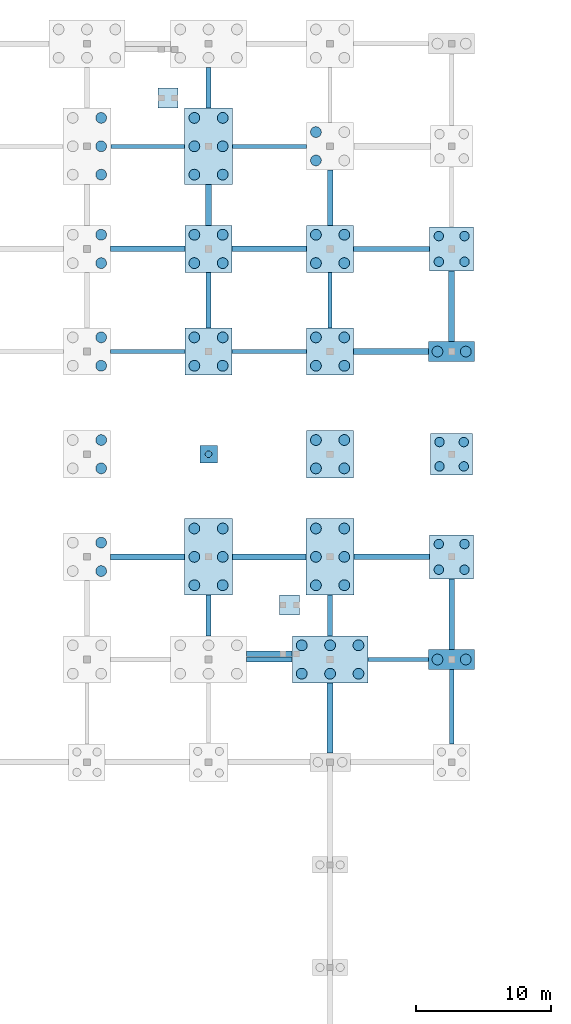
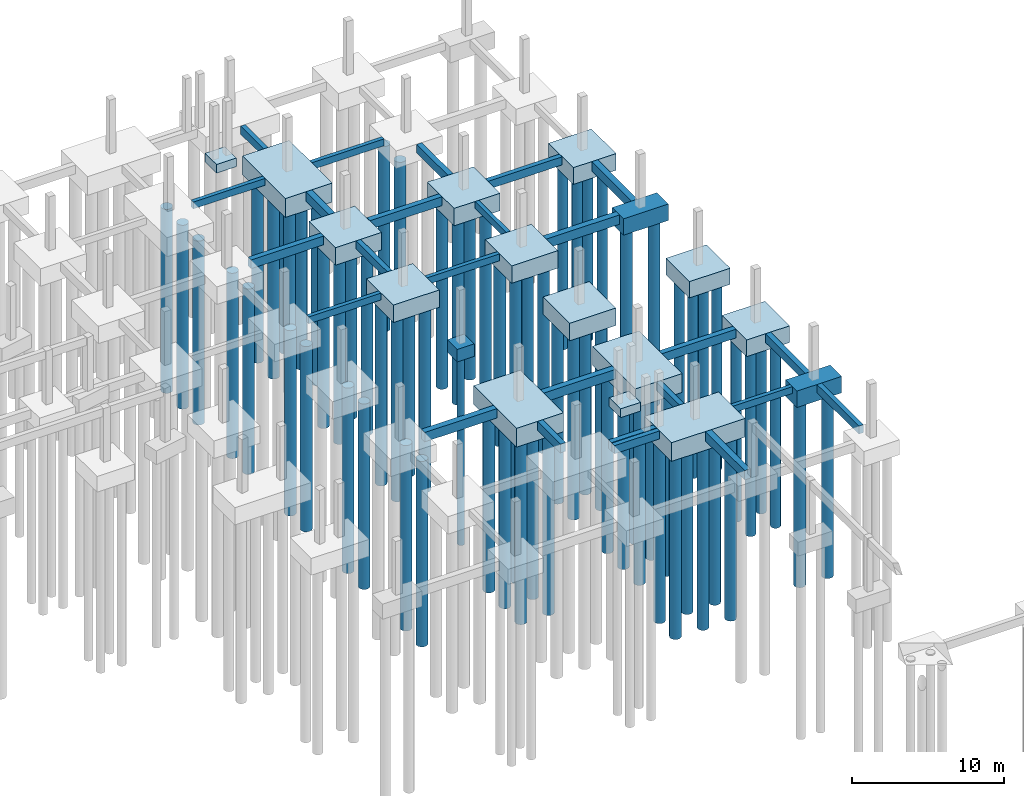
# One storey, part 11 of 28: 74 piles, 42 footings.
"""IFC4 building model written with IfcOpenShell, lengths in metres."""

from ifc_helpers import new_model, si_unit, direction, frame, origin, origin_2d, place, context, subcontext, project, spatial, rectangle, circle, extrude, material, layer, layer_set, material_profile, profile_set, type_object, element, save


model = new_model("IFC4")

# Units and contexts
model_context = context("Model", 3, precision=1e-05, world=origin(), true_north=direction((0.0, 1.0)))
body_context = subcontext(model_context, "Body", "Model", "MODEL_VIEW")
ifc_project = project(units=[si_unit("LENGTHUNIT", "METRE"), si_unit("AREAUNIT", "SQUARE_METRE"), si_unit("VOLUMEUNIT", "CUBIC_METRE"), si_unit("PLANEANGLEUNIT", "RADIAN"), si_unit("MASSUNIT", "GRAM", prefix="KILO")], contexts=[model_context])

# Site, building, storey
site_placement = place(None, origin())
site = spatial("IfcSite", under=ifc_project, at=site_placement, CompositionType="ELEMENT")
building_placement = place(site_placement, origin())
building = spatial("IfcBuilding", under=site, at=building_placement, Name="Caisbarro Railhouse Central Library", CompositionType="ELEMENT")
storey_placement = place(building_placement, frame((0.0, 0.0, -4.320068359375)))
storey = spatial("IfcBuildingStorey", under=building, at=storey_placement, Name="B01", CompositionType="ELEMENT", Elevation=-4.320068359375)

# Footings
ifc_material_1 = material(Name="Concrete C35", Category="concrete")
footing_type_1 = type_object("IfcFootingType", Name="FTG-FB01", PredefinedType="FOOTING_BEAM", material=ifc_material_1)
footing_1_placement = place(storey_placement, frame((139.5, 68.39990234375, -0.64990234375), z_axis=(0.0, 0.0, 1.0), x_axis=(1.0, 0.0, 0.0)))
element("IfcFooting", 1, at=footing_1_placement, inside=storey, type_object=footing_type_1, Name="FB01 ground tie beam 212", PredefinedType="FOOTING_BEAM", context=body_context, shape_type="SweptSolid", body=[
    extrude(rectangle(XDim=3.39599609375, YDim=0.35009765625, at=origin_2d()), origin(), (0.0, 0.0, 1.0), 0.64990234375),
])
footing_2_placement = place(storey_placement, frame((135.0, 95.0, -0.64990234375), z_axis=(0.0, 0.0, 1.0), x_axis=(0.0, 1.0, 0.0)))
element("IfcFooting", 2, at=footing_2_placement, inside=storey, type_object=footing_type_1, Name="FB01 ground tie beam 216", PredefinedType="FOOTING_BEAM", context=body_context, shape_type="SweptSolid", body=[
    extrude(rectangle(XDim=4.095947265625, YDim=0.35009765625, at=origin_2d()), origin(), (0.0, 0.0, 1.0), 0.64990234375),
])
for number, where, z_axis, x_axis, name in (
    (3, (135.0, 110.737548828125, -0.64990234375), (0.0, 0.0, 1.0), (0.0, 1.0, 0.0), "FB01 ground tie beam 220"),
    (4, (144.0, 71.66259765625, -0.64990234375), (0.0, 0.0, 1.0), (0.0, 1.0, 0.0), "FB01 ground tie beam 236"),
):
    element("IfcFooting", number, at=place(storey_placement, frame(where, z_axis=z_axis, x_axis=x_axis)), inside=storey, type_object=footing_type_1, Name=name, PredefinedType="FOOTING_BEAM", context=body_context, shape_type="SweptSolid", body=[
        extrude(rectangle(XDim=3.02099609375, YDim=0.35009765625, at=origin_2d()), origin(), (0.0, 0.0, 1.0), 0.64990234375),
    ])
footing_3_placement = place(storey_placement, frame((148.5625, 98.800048828125, -0.64990234375), z_axis=(0.0, 0.0, 1.0), x_axis=(1.0, 0.0, 0.0)))
element("IfcFooting", 5, at=footing_3_placement, inside=storey, type_object=footing_type_1, Name="FB01 ground tie beam 240", PredefinedType="FOOTING_BEAM", context=body_context, shape_type="SweptSolid", body=[
    extrude(rectangle(XDim=5.62109375, YDim=0.35009765625, at=origin_2d()), origin(), (0.0, 0.0, 1.0), 0.64990234375),
])
footing_4_placement = place(storey_placement, frame((153.0, 64.89990234375, -0.64990234375), z_axis=(0.0, 0.0, 1.0), x_axis=(0.0, 1.0, 0.0)))
element("IfcFooting", 6, at=footing_4_placement, inside=storey, type_object=footing_type_1, Name="FB01 ground tie beam 252", PredefinedType="FOOTING_BEAM", context=body_context, shape_type="SweptSolid", body=[
    extrude(rectangle(XDim=5.49609375, YDim=0.35009765625, at=origin_2d()), origin(), (0.0, 0.0, 1.0), 0.64990234375),
])
footing_type_2 = type_object("IfcFootingType", Name="FTG-FB02", PredefinedType="FOOTING_BEAM", material=ifc_material_1)
footing_5_placement = place(storey_placement, frame((130.5, 98.800048828125, -0.69970703125), z_axis=(0.0, 0.0, 1.0), x_axis=(1.0, 0.0, 0.0)))
element("IfcFooting", 7, at=footing_5_placement, inside=storey, type_object=footing_type_2, Name="FB02 ground tie beam 205", PredefinedType="FOOTING_BEAM", context=body_context, shape_type="SweptSolid", body=[
    extrude(rectangle(XDim=5.49609375, YDim=0.39990234375, at=origin_2d()), origin(), (0.0, 0.0, 1.0), 0.699951171875),
])
footing_6_placement = place(storey_placement, frame((135.0, 71.66259765625, -0.69970703125), z_axis=(0.0, 0.0, 1.0), x_axis=(0.0, 1.0, 0.0)))
element("IfcFooting", 8, at=footing_6_placement, inside=storey, type_object=footing_type_2, Name="FB02 ground tie beam 213", PredefinedType="FOOTING_BEAM", context=body_context, shape_type="SweptSolid", body=[
    extrude(rectangle(XDim=3.02099609375, YDim=0.39990234375, at=origin_2d()), origin(), (0.0, 0.0, 1.0), 0.699951171875),
])
footing_7_placement = place(storey_placement, frame((139.5, 98.800048828125, -0.69970703125), z_axis=(0.0, 0.0, 1.0), x_axis=(1.0, 0.0, 0.0)))
element("IfcFooting", 9, at=footing_7_placement, inside=storey, type_object=footing_type_2, Name="FB02 ground tie beam 217", PredefinedType="FOOTING_BEAM", context=body_context, shape_type="SweptSolid", body=[
    extrude(rectangle(XDim=5.49609375, YDim=0.39990234375, at=origin_2d()), origin(), (0.0, 0.0, 1.0), 0.699951171875),
])
footing_8_placement = place(storey_placement, frame((148.574951171875, 76.0, -0.69970703125), z_axis=(0.0, 0.0, 1.0), x_axis=(1.0, 0.0, 0.0)))
element("IfcFooting", 10, at=footing_8_placement, inside=storey, type_object=footing_type_2, Name="FB02 ground tie beam 237", PredefinedType="FOOTING_BEAM", context=body_context, shape_type="SweptSolid", body=[
    extrude(rectangle(XDim=5.595947265625, YDim=0.39990234375, at=origin_2d()), origin(), (0.0, 0.0, 1.0), 0.699951171875),
])
footing_9_placement = place(storey_placement, frame((144.0, 102.60009765625, -0.69970703125), z_axis=(0.0, 0.0, 1.0), x_axis=(0.0, 1.0, 0.0)))
element("IfcFooting", 11, at=footing_9_placement, inside=storey, type_object=footing_type_2, Name="FB02 ground tie beam 241", PredefinedType="FOOTING_BEAM", context=body_context, shape_type="SweptSolid", body=[
    extrude(rectangle(XDim=4.095947265625, YDim=0.39990234375, at=origin_2d()), origin(), (0.0, 0.0, 1.0), 0.699951171875),
])
footing_10_placement = place(storey_placement, frame((153.0, 71.762451171875, -0.69970703125), z_axis=(0.0, 0.0, 1.0), x_axis=(0.0, 1.0, 0.0)))
element("IfcFooting", 12, at=footing_10_placement, inside=storey, type_object=footing_type_2, Name="FB02 ground tie beam 253", PredefinedType="FOOTING_BEAM", context=body_context, shape_type="SweptSolid", body=[
    extrude(rectangle(XDim=5.220947265625, YDim=0.39990234375, at=origin_2d()), origin(), (0.0, 0.0, 1.0), 0.699951171875),
])
footing_11_placement = place(storey_placement, frame((139.5, 68.820068359375, -0.69970703125), z_axis=(0.0, 0.0, 1.0), x_axis=(1.0, 0.0, 0.0)))
element("IfcFooting", 13, at=footing_11_placement, inside=storey, type_object=footing_type_2, Name="FB02 stair pier tie beam K7S", PredefinedType="FOOTING_BEAM", context=body_context, shape_type="SweptSolid", body=[
    extrude(rectangle(XDim=3.39599609375, YDim=0.39990234375, at=origin_2d()), origin(), (0.0, 0.0, 1.0), 0.699951171875),
])
footing_type_3 = type_object("IfcFootingType", Name="FTG-FB03", PredefinedType="FOOTING_BEAM", material=ifc_material_1)
footing_12_placement = place(storey_placement, frame((130.487548828125, 76.0, -0.75), z_axis=(0.0, 0.0, 1.0), x_axis=(1.0, 0.0, 0.0)))
element("IfcFooting", 14, at=footing_12_placement, inside=storey, type_object=footing_type_3, Name="FB03 ground tie beam 202", PredefinedType="FOOTING_BEAM", context=body_context, shape_type="SweptSolid", body=[
    extrude(rectangle(XDim=5.470947265625, YDim=0.449951171875, at=origin_2d()), origin(), (0.0, 0.0, 1.0), 0.75),
])
footing_13_placement = place(storey_placement, frame((139.5, 76.0, -0.75), z_axis=(0.0, 0.0, 1.0), x_axis=(1.0, 0.0, 0.0)))
element("IfcFooting", 15, at=footing_13_placement, inside=storey, type_object=footing_type_3, Name="FB03 ground tie beam 214", PredefinedType="FOOTING_BEAM", context=body_context, shape_type="SweptSolid", body=[
    extrude(rectangle(XDim=5.446044921875, YDim=0.449951171875, at=origin_2d()), origin(), (0.0, 0.0, 1.0), 0.75),
])
footing_14_placement = place(storey_placement, frame((135.0, 102.0625, -0.75), z_axis=(0.0, 0.0, 1.0), x_axis=(0.0, 1.0, 0.0)))
element("IfcFooting", 16, at=footing_14_placement, inside=storey, type_object=footing_type_3, Name="FB03 ground tie beam 218", PredefinedType="FOOTING_BEAM", context=body_context, shape_type="SweptSolid", body=[
    extrude(rectangle(XDim=3.02099609375, YDim=0.449951171875, at=origin_2d()), origin(), (0.0, 0.0, 1.0), 0.75),
])
footing_15_placement = place(storey_placement, frame((144.0, 64.0625, -0.75), z_axis=(0.0, 0.0, 1.0), x_axis=(0.0, 1.0, 0.0)))
element("IfcFooting", 17, at=footing_15_placement, inside=storey, type_object=footing_type_3, Name="FB03 ground tie beam 234", PredefinedType="FOOTING_BEAM", context=body_context, shape_type="SweptSolid", body=[
    extrude(rectangle(XDim=5.1708984375, YDim=0.449951171875, at=origin_2d()), origin(), (0.0, 0.0, 1.0), 0.75),
])
footing_16_placement = place(storey_placement, frame((148.52490234375, 91.199951171875, -0.75), z_axis=(0.0, 0.0, 1.0), x_axis=(1.0, 0.0, 0.0)))
element("IfcFooting", 18, at=footing_16_placement, inside=storey, type_object=footing_type_3, Name="FB03 ground tie beam 238", PredefinedType="FOOTING_BEAM", context=body_context, shape_type="SweptSolid", body=[
    extrude(rectangle(XDim=5.5458984375, YDim=0.449951171875, at=origin_2d()), origin(), (0.0, 0.0, 1.0), 0.75),
])
footing_17_placement = place(storey_placement, frame((153.0, 94.5625, -0.75), z_axis=(0.0, 0.0, 1.0), x_axis=(0.0, 1.0, 0.0)))
element("IfcFooting", 19, at=footing_17_placement, inside=storey, type_object=footing_type_3, Name="FB03 ground tie beam 254", PredefinedType="FOOTING_BEAM", context=body_context, shape_type="SweptSolid", body=[
    extrude(rectangle(XDim=5.220947265625, YDim=0.449951171875, at=origin_2d()), origin(), (0.0, 0.0, 1.0), 0.75),
])
footing_type_4 = type_object("IfcFootingType", Name="FTG-FB04", PredefinedType="FOOTING_BEAM", material=ifc_material_1)
footing_18_placement = place(storey_placement, frame((130.5, 91.199951171875, -0.5498046875), z_axis=(0.0, 0.0, 1.0), x_axis=(1.0, 0.0, 0.0)))
element("IfcFooting", 20, at=footing_18_placement, inside=storey, type_object=footing_type_4, Name="FB04 ground tie beam 203", PredefinedType="FOOTING_BEAM", context=body_context, shape_type="SweptSolid", body=[
    extrude(rectangle(XDim=5.49609375, YDim=0.300048828125, at=origin_2d()), origin(), (0.0, 0.0, 1.0), 0.550048828125),
])
footing_19_placement = place(storey_placement, frame((130.5, 106.39990234375, -0.5498046875), z_axis=(0.0, 0.0, 1.0), x_axis=(1.0, 0.0, 0.0)))
element("IfcFooting", 21, at=footing_19_placement, inside=storey, type_object=footing_type_4, Name="FB04 ground tie beam 207", PredefinedType="FOOTING_BEAM", context=body_context, shape_type="SweptSolid", body=[
    extrude(rectangle(XDim=5.446044921875, YDim=0.300048828125, at=origin_2d()), origin(), (0.0, 0.0, 1.0), 0.550048828125),
])
footing_20_placement = place(storey_placement, frame((139.5, 91.199951171875, -0.5498046875), z_axis=(0.0, 0.0, 1.0), x_axis=(1.0, 0.0, 0.0)))
element("IfcFooting", 22, at=footing_20_placement, inside=storey, type_object=footing_type_4, Name="FB04 ground tie beam 215", PredefinedType="FOOTING_BEAM", context=body_context, shape_type="SweptSolid", body=[
    extrude(rectangle(XDim=5.49609375, YDim=0.300048828125, at=origin_2d()), origin(), (0.0, 0.0, 1.0), 0.550048828125),
])
footing_21_placement = place(storey_placement, frame((139.512451171875, 106.39990234375, -0.5498046875), z_axis=(0.0, 0.0, 1.0), x_axis=(1.0, 0.0, 0.0)))
element("IfcFooting", 23, at=footing_21_placement, inside=storey, type_object=footing_type_4, Name="FB04 ground tie beam 219", PredefinedType="FOOTING_BEAM", context=body_context, shape_type="SweptSolid", body=[
    extrude(rectangle(XDim=5.470947265625, YDim=0.300048828125, at=origin_2d()), origin(), (0.0, 0.0, 1.0), 0.550048828125),
])
footing_22_placement = place(storey_placement, frame((149.050048828125, 68.39990234375, -0.5498046875), z_axis=(0.0, 0.0, 1.0), x_axis=(1.0, 0.0, 0.0)))
element("IfcFooting", 24, at=footing_22_placement, inside=storey, type_object=footing_type_4, Name="FB04 ground tie beam 235", PredefinedType="FOOTING_BEAM", context=body_context, shape_type="SweptSolid", body=[
    extrude(rectangle(XDim=4.49609375, YDim=0.300048828125, at=origin_2d()), origin(), (0.0, 0.0, 1.0), 0.550048828125),
])
footing_23_placement = place(storey_placement, frame((144.0, 95.0, -0.5498046875), z_axis=(0.0, 0.0, 1.0), x_axis=(0.0, 1.0, 0.0)))
element("IfcFooting", 25, at=footing_23_placement, inside=storey, type_object=footing_type_4, Name="FB04 ground tie beam 239", PredefinedType="FOOTING_BEAM", context=body_context, shape_type="SweptSolid", body=[
    extrude(rectangle(XDim=4.095947265625, YDim=0.300048828125, at=origin_2d()), origin(), (0.0, 0.0, 1.0), 0.550048828125),
])
ifc_material_2 = material(Name="Concrete C40", Category="concrete")
ifc_layer_1 = layer(ifc_material_2, 1.0, Name="Concrete C40")
ifc_layer_set_1 = layer_set([ifc_layer_1], Name="Concrete C40")
footing_type_5 = type_object("IfcFootingType", Name="FTG-PC01", PredefinedType="PILE_CAP", material=ifc_layer_set_1)
footing_24_placement = place(storey_placement, frame((135.0, 83.60009765625, -1.0), z_axis=(0.0, 0.0, 1.0), x_axis=(1.0, 0.0, 0.0)))
element("IfcFooting", 26, at=footing_24_placement, inside=storey, type_object=footing_type_5, Name="PC01 pile cap (188)", PredefinedType="PILE_CAP", context=body_context, shape_type="SweptSolid", body=[
    extrude(rectangle(XDim=1.300048828125, YDim=1.300048828125, at=origin_2d()), origin(), (0.0, 0.0, 1.0), 1.0),
])
ifc_layer_2 = layer(ifc_material_2, 1.300048828125, Name="Concrete C40")
ifc_layer_set_2 = layer_set([ifc_layer_2], Name="Concrete C40")
footing_type_6 = type_object("IfcFootingType", Name="FTG-PC06", PredefinedType="PILE_CAP", material=ifc_layer_set_2)
footing_25_placement = place(storey_placement, frame((153.0, 83.60009765625, -1.2998046875), z_axis=(0.0, 0.0, 1.0), x_axis=(1.0, 0.0, 0.0)))
element("IfcFooting", 27, at=footing_25_placement, inside=storey, type_object=footing_type_6, Name="PC06 pile cap (216)", PredefinedType="PILE_CAP", context=body_context, shape_type="SweptSolid", body=[
    extrude(rectangle(XDim=3.10009765625, YDim=3.10009765625, at=origin_2d()), origin(), (0.0, 0.0, 1.0), 1.300048828125),
])
ifc_layer_3 = layer(ifc_material_2, 1.320068359375, Name="Concrete C40")
ifc_layer_set_3 = layer_set([ifc_layer_3], Name="Concrete C40")
footing_type_7 = type_object("IfcFootingType", Name="FTG-PC07", PredefinedType="PILE_CAP", material=ifc_layer_set_3)
for number, where, z_axis, x_axis, name in (
    (28, (153.0, 68.39990234375, -1.31982421875), (0.0, 0.0, 1.0), (1.0, 0.0, 0.0), "PC07 pile cap (214)"),
    (29, (153.0, 91.199951171875, -1.31982421875), (0.0, 0.0, 1.0), (1.0, 0.0, 0.0), "PC07 pile cap (217)"),
):
    element("IfcFooting", number, at=place(storey_placement, frame(where, z_axis=z_axis, x_axis=x_axis)), inside=storey, type_object=footing_type_7, Name=name, PredefinedType="PILE_CAP", context=body_context, shape_type="SweptSolid", body=[
        extrude(rectangle(XDim=3.39990234375, YDim=1.5, at=origin_2d()), origin(), (0.0, 0.0, 1.0), 1.320068359375),
    ])
ifc_layer_4 = layer(ifc_material_2, 1.39990234375, Name="Concrete C40")
ifc_layer_set_4 = layer_set([ifc_layer_4], Name="Concrete C40")
footing_type_8 = type_object("IfcFootingType", Name="FTG-PC08", PredefinedType="PILE_CAP", material=ifc_layer_set_4)
for number, where, z_axis, x_axis, name in (
    (30, (135.0, 91.199951171875, -1.39990234375), (0.0, 0.0, 1.0), (1.0, 0.0, 0.0), "PC08 pile cap (189)"),
    (31, (135.0, 98.800048828125, -1.39990234375), (0.0, 0.0, 1.0), (1.0, 0.0, 0.0), "PC08 pile cap (190)"),
    (32, (144.0, 83.60009765625, -1.39990234375), (0.0, 0.0, 1.0), (1.0, 0.0, 0.0), "PC08 pile cap (202)"),
    (33, (144.0, 91.199951171875, -1.39990234375), (0.0, 0.0, 1.0), (1.0, 0.0, 0.0), "PC08 pile cap (203)"),
    (34, (144.0, 98.800048828125, -1.39990234375), (0.0, 0.0, 1.0), (1.0, 0.0, 0.0), "PC08 pile cap (204)"),
):
    element("IfcFooting", number, at=place(storey_placement, frame(where, z_axis=z_axis, x_axis=x_axis)), inside=storey, type_object=footing_type_8, Name=name, PredefinedType="PILE_CAP", context=body_context, shape_type="SweptSolid", body=[
        extrude(rectangle(XDim=3.5, YDim=3.5, at=origin_2d()), origin(), (0.0, 0.0, 1.0), 1.39990234375),
    ])
ifc_layer_5 = layer(ifc_material_2, 1.5, Name="Concrete C40")
ifc_layer_set_5 = layer_set([ifc_layer_5], Name="Concrete C40")
footing_type_9 = type_object("IfcFootingType", Name="FTG-PC09", PredefinedType="PILE_CAP", material=ifc_layer_set_5)
footing_26_placement = place(storey_placement, frame((144.0, 68.39990234375, -1.5), z_axis=(0.0, 0.0, 1.0), x_axis=(1.0, 0.0, 0.0)))
element("IfcFooting", 35, at=footing_26_placement, inside=storey, type_object=footing_type_9, Name="PC09 pile cap (200)", PredefinedType="PILE_CAP", context=body_context, shape_type="SweptSolid", body=[
    extrude(rectangle(XDim=5.60009765625, YDim=3.5, at=origin_2d()), origin(), (0.0, 0.0, 1.0), 1.5),
])
ifc_layer_6 = layer(ifc_material_2, 1.52001953125, Name="Concrete C40")
ifc_layer_set_6 = layer_set([ifc_layer_6], Name="Concrete C40")
footing_type_10 = type_object("IfcFootingType", Name="FTG-PC10", PredefinedType="PILE_CAP", material=ifc_layer_set_6)
for number, where, z_axis, x_axis, name in (
    (36, (135.0, 76.0, -1.52001953125), (0.0, 0.0, 1.0), (1.0, 0.0, 0.0), "PC10 pile cap (187)"),
    (37, (135.0, 106.39990234375, -1.52001953125), (0.0, 0.0, 1.0), (1.0, 0.0, 0.0), "PC10 pile cap (191)"),
    (38, (144.0, 76.0, -1.52001953125), (0.0, 0.0, 1.0), (1.0, 0.0, 0.0), "PC10 pile cap (201)"),
):
    element("IfcFooting", number, at=place(storey_placement, frame(where, z_axis=z_axis, x_axis=x_axis)), inside=storey, type_object=footing_type_10, Name=name, PredefinedType="PILE_CAP", context=body_context, shape_type="SweptSolid", body=[
        extrude(rectangle(XDim=3.550048828125, YDim=5.64990234375, at=origin_2d()), origin(), (0.0, 0.0, 1.0), 1.52001953125),
    ])
ifc_layer_7 = layer(ifc_material_2, 1.340087890625, Name="Concrete C40")
ifc_layer_set_7 = layer_set([ifc_layer_7], Name="Concrete C40")
footing_type_11 = type_object("IfcFootingType", Name="FTG-PC14", PredefinedType="PILE_CAP", material=ifc_layer_set_7)
for number, where, z_axis, x_axis, name in (
    (39, (153.0, 76.0, -1.33984375), (0.0, 0.0, 1.0), (1.0, 0.0, 0.0), "PC14 pile cap (215)"),
    (40, (153.0, 98.800048828125, -1.33984375), (0.0, 0.0, 1.0), (1.0, 0.0, 0.0), "PC14 pile cap (218)"),
):
    element("IfcFooting", number, at=place(storey_placement, frame(where, z_axis=z_axis, x_axis=x_axis)), inside=storey, type_object=footing_type_11, Name=name, PredefinedType="PILE_CAP", context=body_context, shape_type="SweptSolid", body=[
        extrude(rectangle(XDim=3.25, YDim=3.25, at=origin_2d()), origin(), (0.0, 0.0, 1.0), 1.340087890625),
    ])
ifc_layer_8 = layer(ifc_material_2, 0.699951171875, Name="Concrete C40")
ifc_layer_set_8 = layer_set([ifc_layer_8], Name="Concrete C40")
footing_type_12 = type_object("IfcFootingType", Name="FTG-PF01", PredefinedType="PAD_FOOTING", material=ifc_layer_set_8)
for number, where, z_axis, x_axis, name in (
    (41, (132.0, 109.969970703125, -0.69970703125), (0.0, 0.0, 1.0), (1.0, 0.0, 0.0), "PF01 Stair Support Pad Footing K3 S"),
    (42, (141.0, 72.429931640625, -0.69970703125), (0.0, 0.0, 1.0), (1.0, 0.0, 0.0), "PF01 Stair Support Pad Footing K7 N"),
):
    element("IfcFooting", number, at=place(storey_placement, frame(where, z_axis=z_axis, x_axis=x_axis)), inside=storey, type_object=footing_type_12, Name=name, PredefinedType="PAD_FOOTING", context=body_context, shape_type="SweptSolid", body=[
        extrude(rectangle(XDim=1.5, YDim=1.5, at=origin_2d()), origin(), (0.0, 0.0, 1.0), 0.699951171875),
    ])

# Piles
ifc_material_profile_1 = material_profile(ifc_material_1, circle(Radius=0.25, at=origin_2d()), Name="PILE-CFA-500")
ifc_profile_set_1 = profile_set([ifc_material_profile_1], Name="Concrete C35")
pile_type_1 = type_object("IfcPileType", Name="PILE-CFA500", PredefinedType="BORED", material=ifc_profile_set_1)
pile_placement = place(storey_placement, frame((135.0, 83.60009765625, -0.89990234375), z_axis=(0.0, 0.0, -1.0), x_axis=(1.0, 0.0, 0.0)))
element("IfcPile", 43, at=pile_placement, inside=storey, type_object=pile_type_1, Name="PL50 CFA bored pile 188.1", PredefinedType="BORED", context=body_context, shape_type="SweptSolid", body=[
    extrude(circle(Radius=0.25, at=origin_2d()), origin(), (0.0, 0.0, 1.0), 15.280029296875),
])
ifc_material_profile_2 = material_profile(ifc_material_1, circle(Radius=0.35009765625, at=origin_2d()), Name="PILE-CFA-700")
ifc_profile_set_2 = profile_set([ifc_material_profile_2], Name="Concrete C35")
pile_type_2 = type_object("IfcPileType", Name="PILE-CFA700", PredefinedType="BORED", material=ifc_profile_set_2)
for number, where, z_axis, x_axis, name in (
    (44, (152.050048828125, 75.050048828125, -1.239990234375), (0.0, 0.0, -1.0), (1.0, 0.0, 0.0), "PL70 CFA bored pile 215.1"),
    (45, (153.949951171875, 75.050048828125, -1.239990234375), (0.0, 0.0, -1.0), (1.0, 0.0, 0.0), "PL70 CFA bored pile 215.2"),
    (46, (152.050048828125, 76.949951171875, -1.239990234375), (0.0, 0.0, -1.0), (1.0, 0.0, 0.0), "PL70 CFA bored pile 215.3"),
    (47, (153.949951171875, 76.949951171875, -1.239990234375), (0.0, 0.0, -1.0), (1.0, 0.0, 0.0), "PL70 CFA bored pile 215.4"),
):
    element("IfcPile", number, at=place(storey_placement, frame(where, z_axis=z_axis, x_axis=x_axis)), inside=storey, type_object=pile_type_2, Name=name, PredefinedType="BORED", context=body_context, shape_type="SweptSolid", body=[
        extrude(circle(Radius=0.35009765625, at=origin_2d()), origin(), (0.0, 0.0, 1.0), 14.93994140625),
    ])
for number, where, z_axis, x_axis, name in (
    (48, (152.10009765625, 82.699951171875, -1.199951171875), (0.0, 0.0, -1.0), (1.0, 0.0, 0.0), "PL70 CFA bored pile 216.1"),
    (49, (153.89990234375, 82.699951171875, -1.199951171875), (0.0, 0.0, -1.0), (1.0, 0.0, 0.0), "PL70 CFA bored pile 216.2"),
    (50, (152.10009765625, 84.5, -1.199951171875), (0.0, 0.0, -1.0), (1.0, 0.0, 0.0), "PL70 CFA bored pile 216.3"),
    (51, (153.89990234375, 84.5, -1.199951171875), (0.0, 0.0, -1.0), (1.0, 0.0, 0.0), "PL70 CFA bored pile 216.4"),
):
    element("IfcPile", number, at=place(storey_placement, frame(where, z_axis=z_axis, x_axis=x_axis)), inside=storey, type_object=pile_type_2, Name=name, PredefinedType="BORED", context=body_context, shape_type="SweptSolid", body=[
        extrude(circle(Radius=0.35009765625, at=origin_2d()), origin(), (0.0, 0.0, 1.0), 14.97998046875),
    ])
for number, where, z_axis, x_axis, name in (
    (52, (152.050048828125, 97.85009765625, -1.239990234375), (0.0, 0.0, -1.0), (1.0, 0.0, 0.0), "PL70 CFA bored pile 218.1"),
    (53, (153.949951171875, 97.85009765625, -1.239990234375), (0.0, 0.0, -1.0), (1.0, 0.0, 0.0), "PL70 CFA bored pile 218.2"),
    (54, (152.050048828125, 99.75, -1.239990234375), (0.0, 0.0, -1.0), (1.0, 0.0, 0.0), "PL70 CFA bored pile 218.3"),
    (55, (153.949951171875, 99.75, -1.239990234375), (0.0, 0.0, -1.0), (1.0, 0.0, 0.0), "PL70 CFA bored pile 218.4"),
):
    element("IfcPile", number, at=place(storey_placement, frame(where, z_axis=z_axis, x_axis=x_axis)), inside=storey, type_object=pile_type_2, Name=name, PredefinedType="BORED", context=body_context, shape_type="SweptSolid", body=[
        extrude(circle(Radius=0.35009765625, at=origin_2d()), origin(), (0.0, 0.0, 1.0), 14.93994140625),
    ])
ifc_material_profile_3 = material_profile(ifc_material_1, circle(Radius=0.39990234375, at=origin_2d()), Name="PILE-CFA-800")
ifc_profile_set_3 = profile_set([ifc_material_profile_3], Name="Concrete C35")
pile_type_3 = type_object("IfcPileType", Name="PILE-CFA800", PredefinedType="BORED", material=ifc_profile_set_3)
for number, where, z_axis, x_axis, name in (
    (56, (127.050048828125, 74.949951171875, -1.300048828125), (0.0, 0.0, -1.0), (1.0, 0.0, 0.0), "PL80 CFA bored pile 179.2"),
    (57, (127.050048828125, 77.050048828125, -1.300048828125), (0.0, 0.0, -1.0), (1.0, 0.0, 0.0), "PL80 CFA bored pile 179.4"),
    (58, (127.050048828125, 82.550048828125, -1.300048828125), (0.0, 0.0, -1.0), (1.0, 0.0, 0.0), "PL80 CFA bored pile 180.2"),
    (59, (127.050048828125, 84.64990234375, -1.300048828125), (0.0, 0.0, -1.0), (1.0, 0.0, 0.0), "PL80 CFA bored pile 180.4"),
    (60, (127.050048828125, 90.14990234375, -1.300048828125), (0.0, 0.0, -1.0), (1.0, 0.0, 0.0), "PL80 CFA bored pile 181.2"),
    (61, (127.050048828125, 92.25, -1.300048828125), (0.0, 0.0, -1.0), (1.0, 0.0, 0.0), "PL80 CFA bored pile 181.4"),
    (62, (127.050048828125, 97.75, -1.300048828125), (0.0, 0.0, -1.0), (1.0, 0.0, 0.0), "PL80 CFA bored pile 182.2"),
    (63, (127.050048828125, 99.85009765625, -1.300048828125), (0.0, 0.0, -1.0), (1.0, 0.0, 0.0), "PL80 CFA bored pile 182.4"),
):
    element("IfcPile", number, at=place(storey_placement, frame(where, z_axis=z_axis, x_axis=x_axis)), inside=storey, type_object=pile_type_3, Name=name, PredefinedType="BORED", context=body_context, shape_type="SweptSolid", body=[
        extrude(circle(Radius=0.39990234375, at=origin_2d()), origin(), (0.0, 0.0, 1.0), 14.8798828125),
    ])
for number, where, z_axis, x_axis, name in (
    (64, (127.050048828125, 104.300048828125, -1.419921875), (0.0, 0.0, -1.0), (1.0, 0.0, 0.0), "PL80 CFA bored pile 183.2"),
    (65, (127.050048828125, 106.39990234375, -1.419921875), (0.0, 0.0, -1.0), (1.0, 0.0, 0.0), "PL80 CFA bored pile 183.4"),
    (66, (127.050048828125, 108.5, -1.419921875), (0.0, 0.0, -1.0), (1.0, 0.0, 0.0), "PL80 CFA bored pile 183.6"),
    (67, (133.949951171875, 73.89990234375, -1.419921875), (0.0, 0.0, -1.0), (1.0, 0.0, 0.0), "PL80 CFA bored pile 187.1"),
    (68, (136.050048828125, 73.89990234375, -1.419921875), (0.0, 0.0, -1.0), (1.0, 0.0, 0.0), "PL80 CFA bored pile 187.2"),
    (69, (133.949951171875, 76.0, -1.419921875), (0.0, 0.0, -1.0), (1.0, 0.0, 0.0), "PL80 CFA bored pile 187.3"),
    (70, (136.050048828125, 76.0, -1.419921875), (0.0, 0.0, -1.0), (1.0, 0.0, 0.0), "PL80 CFA bored pile 187.4"),
    (71, (133.949951171875, 78.10009765625, -1.419921875), (0.0, 0.0, -1.0), (1.0, 0.0, 0.0), "PL80 CFA bored pile 187.5"),
    (72, (136.050048828125, 78.10009765625, -1.419921875), (0.0, 0.0, -1.0), (1.0, 0.0, 0.0), "PL80 CFA bored pile 187.6"),
):
    element("IfcPile", number, at=place(storey_placement, frame(where, z_axis=z_axis, x_axis=x_axis)), inside=storey, type_object=pile_type_3, Name=name, PredefinedType="BORED", context=body_context, shape_type="SweptSolid", body=[
        extrude(circle(Radius=0.39990234375, at=origin_2d()), origin(), (0.0, 0.0, 1.0), 14.760009765625),
    ])
for number, where, z_axis, x_axis, name in (
    (73, (133.949951171875, 90.14990234375, -1.300048828125), (0.0, 0.0, -1.0), (1.0, 0.0, 0.0), "PL80 CFA bored pile 189.1"),
    (74, (136.050048828125, 90.14990234375, -1.300048828125), (0.0, 0.0, -1.0), (1.0, 0.0, 0.0), "PL80 CFA bored pile 189.2"),
    (75, (133.949951171875, 92.25, -1.300048828125), (0.0, 0.0, -1.0), (1.0, 0.0, 0.0), "PL80 CFA bored pile 189.3"),
    (76, (136.050048828125, 92.25, -1.300048828125), (0.0, 0.0, -1.0), (1.0, 0.0, 0.0), "PL80 CFA bored pile 189.4"),
    (77, (133.949951171875, 97.75, -1.300048828125), (0.0, 0.0, -1.0), (1.0, 0.0, 0.0), "PL80 CFA bored pile 190.1"),
    (78, (136.050048828125, 97.75, -1.300048828125), (0.0, 0.0, -1.0), (1.0, 0.0, 0.0), "PL80 CFA bored pile 190.2"),
    (79, (133.949951171875, 99.85009765625, -1.300048828125), (0.0, 0.0, -1.0), (1.0, 0.0, 0.0), "PL80 CFA bored pile 190.3"),
    (80, (136.050048828125, 99.85009765625, -1.300048828125), (0.0, 0.0, -1.0), (1.0, 0.0, 0.0), "PL80 CFA bored pile 190.4"),
):
    element("IfcPile", number, at=place(storey_placement, frame(where, z_axis=z_axis, x_axis=x_axis)), inside=storey, type_object=pile_type_3, Name=name, PredefinedType="BORED", context=body_context, shape_type="SweptSolid", body=[
        extrude(circle(Radius=0.39990234375, at=origin_2d()), origin(), (0.0, 0.0, 1.0), 14.8798828125),
    ])
for number, where, z_axis, x_axis, name in (
    (81, (133.949951171875, 104.300048828125, -1.419921875), (0.0, 0.0, -1.0), (1.0, 0.0, 0.0), "PL80 CFA bored pile 191.1"),
    (82, (136.050048828125, 104.300048828125, -1.419921875), (0.0, 0.0, -1.0), (1.0, 0.0, 0.0), "PL80 CFA bored pile 191.2"),
    (83, (133.949951171875, 106.39990234375, -1.419921875), (0.0, 0.0, -1.0), (1.0, 0.0, 0.0), "PL80 CFA bored pile 191.3"),
    (84, (136.050048828125, 106.39990234375, -1.419921875), (0.0, 0.0, -1.0), (1.0, 0.0, 0.0), "PL80 CFA bored pile 191.4"),
    (85, (133.949951171875, 108.5, -1.419921875), (0.0, 0.0, -1.0), (1.0, 0.0, 0.0), "PL80 CFA bored pile 191.5"),
    (86, (136.050048828125, 108.5, -1.419921875), (0.0, 0.0, -1.0), (1.0, 0.0, 0.0), "PL80 CFA bored pile 191.6"),
):
    element("IfcPile", number, at=place(storey_placement, frame(where, z_axis=z_axis, x_axis=x_axis)), inside=storey, type_object=pile_type_3, Name=name, PredefinedType="BORED", context=body_context, shape_type="SweptSolid", body=[
        extrude(circle(Radius=0.39990234375, at=origin_2d()), origin(), (0.0, 0.0, 1.0), 14.760009765625),
    ])
for number, where, z_axis, x_axis, name in (
    (87, (141.89990234375, 67.35009765625, -1.39990234375), (0.0, 0.0, -1.0), (1.0, 0.0, 0.0), "PL80 CFA bored pile 200.1"),
    (88, (144.0, 67.35009765625, -1.39990234375), (0.0, 0.0, -1.0), (1.0, 0.0, 0.0), "PL80 CFA bored pile 200.2"),
    (89, (146.10009765625, 67.35009765625, -1.39990234375), (0.0, 0.0, -1.0), (1.0, 0.0, 0.0), "PL80 CFA bored pile 200.3"),
    (90, (141.89990234375, 69.449951171875, -1.39990234375), (0.0, 0.0, -1.0), (1.0, 0.0, 0.0), "PL80 CFA bored pile 200.4"),
    (91, (144.0, 69.449951171875, -1.39990234375), (0.0, 0.0, -1.0), (1.0, 0.0, 0.0), "PL80 CFA bored pile 200.5"),
    (92, (146.10009765625, 69.449951171875, -1.39990234375), (0.0, 0.0, -1.0), (1.0, 0.0, 0.0), "PL80 CFA bored pile 200.6"),
):
    element("IfcPile", number, at=place(storey_placement, frame(where, z_axis=z_axis, x_axis=x_axis)), inside=storey, type_object=pile_type_3, Name=name, PredefinedType="BORED", context=body_context, shape_type="SweptSolid", body=[
        extrude(circle(Radius=0.39990234375, at=origin_2d()), origin(), (0.0, 0.0, 1.0), 14.780029296875),
    ])
for number, where, z_axis, x_axis, name in (
    (93, (142.949951171875, 73.89990234375, -1.419921875), (0.0, 0.0, -1.0), (1.0, 0.0, 0.0), "PL80 CFA bored pile 201.1"),
    (94, (145.050048828125, 73.89990234375, -1.419921875), (0.0, 0.0, -1.0), (1.0, 0.0, 0.0), "PL80 CFA bored pile 201.2"),
    (95, (142.949951171875, 76.0, -1.419921875), (0.0, 0.0, -1.0), (1.0, 0.0, 0.0), "PL80 CFA bored pile 201.3"),
    (96, (145.050048828125, 76.0, -1.419921875), (0.0, 0.0, -1.0), (1.0, 0.0, 0.0), "PL80 CFA bored pile 201.4"),
    (97, (142.949951171875, 78.10009765625, -1.419921875), (0.0, 0.0, -1.0), (1.0, 0.0, 0.0), "PL80 CFA bored pile 201.5"),
    (98, (145.050048828125, 78.10009765625, -1.419921875), (0.0, 0.0, -1.0), (1.0, 0.0, 0.0), "PL80 CFA bored pile 201.6"),
):
    element("IfcPile", number, at=place(storey_placement, frame(where, z_axis=z_axis, x_axis=x_axis)), inside=storey, type_object=pile_type_3, Name=name, PredefinedType="BORED", context=body_context, shape_type="SweptSolid", body=[
        extrude(circle(Radius=0.39990234375, at=origin_2d()), origin(), (0.0, 0.0, 1.0), 14.760009765625),
    ])
for number, where, z_axis, x_axis, name in (
    (99, (142.949951171875, 82.550048828125, -1.300048828125), (0.0, 0.0, -1.0), (1.0, 0.0, 0.0), "PL80 CFA bored pile 202.1"),
    (100, (145.050048828125, 82.550048828125, -1.300048828125), (0.0, 0.0, -1.0), (1.0, 0.0, 0.0), "PL80 CFA bored pile 202.2"),
    (101, (142.949951171875, 84.64990234375, -1.300048828125), (0.0, 0.0, -1.0), (1.0, 0.0, 0.0), "PL80 CFA bored pile 202.3"),
    (102, (145.050048828125, 84.64990234375, -1.300048828125), (0.0, 0.0, -1.0), (1.0, 0.0, 0.0), "PL80 CFA bored pile 202.4"),
    (103, (142.949951171875, 90.14990234375, -1.300048828125), (0.0, 0.0, -1.0), (1.0, 0.0, 0.0), "PL80 CFA bored pile 203.1"),
    (104, (145.050048828125, 90.14990234375, -1.300048828125), (0.0, 0.0, -1.0), (1.0, 0.0, 0.0), "PL80 CFA bored pile 203.2"),
    (105, (142.949951171875, 92.25, -1.300048828125), (0.0, 0.0, -1.0), (1.0, 0.0, 0.0), "PL80 CFA bored pile 203.3"),
    (106, (145.050048828125, 92.25, -1.300048828125), (0.0, 0.0, -1.0), (1.0, 0.0, 0.0), "PL80 CFA bored pile 203.4"),
    (107, (142.949951171875, 97.75, -1.300048828125), (0.0, 0.0, -1.0), (1.0, 0.0, 0.0), "PL80 CFA bored pile 204.1"),
    (108, (145.050048828125, 97.75, -1.300048828125), (0.0, 0.0, -1.0), (1.0, 0.0, 0.0), "PL80 CFA bored pile 204.2"),
    (109, (142.949951171875, 99.85009765625, -1.300048828125), (0.0, 0.0, -1.0), (1.0, 0.0, 0.0), "PL80 CFA bored pile 204.3"),
    (110, (145.050048828125, 99.85009765625, -1.300048828125), (0.0, 0.0, -1.0), (1.0, 0.0, 0.0), "PL80 CFA bored pile 204.4"),
    (111, (142.949951171875, 105.35009765625, -1.300048828125), (0.0, 0.0, -1.0), (1.0, 0.0, 0.0), "PL80 CFA bored pile 205.1"),
    (112, (142.949951171875, 107.449951171875, -1.300048828125), (0.0, 0.0, -1.0), (1.0, 0.0, 0.0), "PL80 CFA bored pile 205.3"),
):
    element("IfcPile", number, at=place(storey_placement, frame(where, z_axis=z_axis, x_axis=x_axis)), inside=storey, type_object=pile_type_3, Name=name, PredefinedType="BORED", context=body_context, shape_type="SweptSolid", body=[
        extrude(circle(Radius=0.39990234375, at=origin_2d()), origin(), (0.0, 0.0, 1.0), 14.8798828125),
    ])
for number, where, z_axis, x_axis, name in (
    (113, (151.949951171875, 68.39990234375, -1.219970703125), (0.0, 0.0, -1.0), (1.0, 0.0, 0.0), "PL80 CFA bored pile 214.1"),
    (114, (154.050048828125, 68.39990234375, -1.219970703125), (0.0, 0.0, -1.0), (1.0, 0.0, 0.0), "PL80 CFA bored pile 214.2"),
    (115, (151.949951171875, 91.199951171875, -1.219970703125), (0.0, 0.0, -1.0), (1.0, 0.0, 0.0), "PL80 CFA bored pile 217.1"),
    (116, (154.050048828125, 91.199951171875, -1.219970703125), (0.0, 0.0, -1.0), (1.0, 0.0, 0.0), "PL80 CFA bored pile 217.2"),
):
    element("IfcPile", number, at=place(storey_placement, frame(where, z_axis=z_axis, x_axis=x_axis)), inside=storey, type_object=pile_type_3, Name=name, PredefinedType="BORED", context=body_context, shape_type="SweptSolid", body=[
        extrude(circle(Radius=0.39990234375, at=origin_2d()), origin(), (0.0, 0.0, 1.0), 14.9599609375),
    ])

save(model, "model.ifc")
